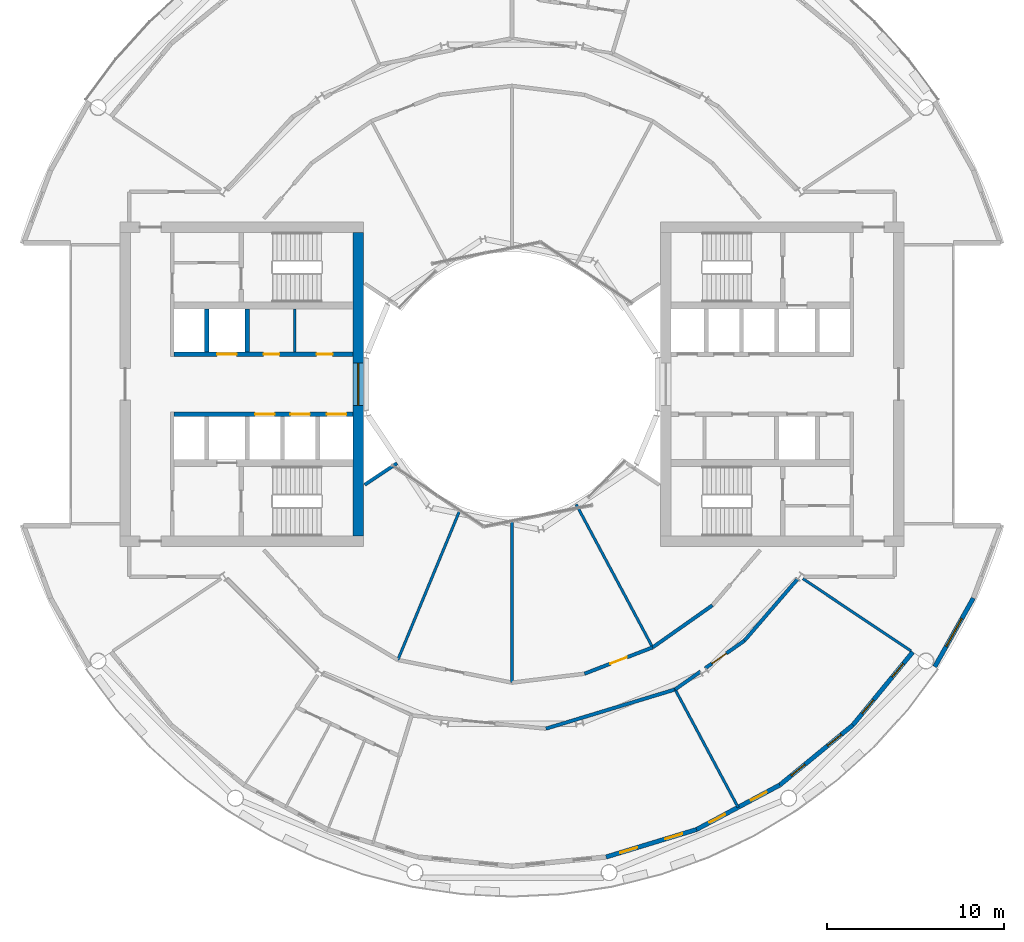
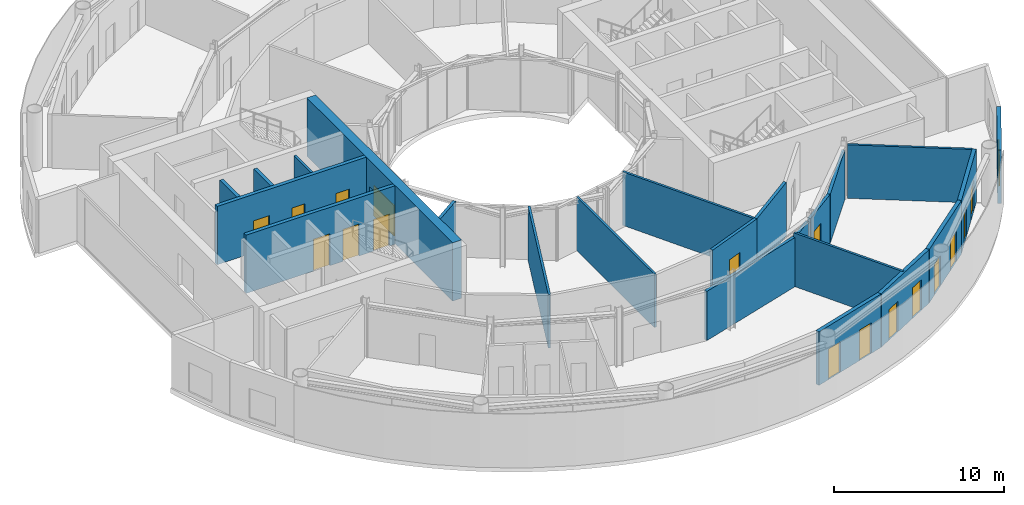
# One storey, part 14 of 21: 23 walls, 16 doors, 2 windows, 18 openings.
"""IFC4 building model written with IfcOpenShell, lengths in metres."""

from ifc_helpers import new_model, si_unit, direction, frame, frame_2d, origin, place, context, subcontext, project, spatial, rectangle, extrude, material, layer, layer_set, type_object, element, fill, save


model = new_model("IFC4")

# Units and contexts
model_context = context("Model", 3, precision=1e-05, world=origin(), true_north=direction((0.0, 1.0)))
body_context = subcontext(model_context, "Body", "Model", "MODEL_VIEW")
ifc_project = project(units=[si_unit("LENGTHUNIT", "METRE"), si_unit("AREAUNIT", "SQUARE_METRE"), si_unit("VOLUMEUNIT", "CUBIC_METRE"), si_unit("PLANEANGLEUNIT", "RADIAN"), si_unit("MASSUNIT", "GRAM", prefix="KILO")], contexts=[model_context])

# Site, building, storey
site_placement = place(None, origin())
site = spatial("IfcSite", under=ifc_project, at=site_placement, CompositionType="ELEMENT")
building_placement = place(site_placement, origin())
building = spatial("IfcBuilding", under=site, at=building_placement, Name="Maasbend Ring Residences", CompositionType="ELEMENT")
storey_placement = place(building_placement, frame((0.0, 0.0, 107.449951171875)))
storey = spatial("IfcBuildingStorey", under=building, at=storey_placement, Name="L30", CompositionType="ELEMENT", Elevation=107.449951171875)

# Wall, openings, doors
ifc_material_1 = material(Name="Concrete C60/75", Category="concrete")
ifc_layer_1 = layer(ifc_material_1, 0.25)
ifc_layer_set_1 = layer_set([ifc_layer_1], Name="Concrete C60/75")
wall_type_1 = type_object("IfcWallType", Name="CORE WALL 250 C60/75", PredefinedType="SHEAR", material=ifc_layer_set_1)
wall_1_placement = place(storey_placement, frame((-9.0, -1.699951171875, 0.0), z_axis=(0.0, 0.0, 1.0), x_axis=(-1.0, 0.0, 0.0)))
wall_1 = element("IfcWall", 1, at=wall_1_placement, inside=storey, type_object=wall_type_1, Name="L30 core W wall SPN", PredefinedType="SHEAR", context=body_context, shape_type="SweptSolid", body=[
    extrude(rectangle(XDim=10.14990234375, YDim=0.25, at=frame_2d((5.074951171875, 0.0))), origin(), (0.0, 0.0, 1.0), 4.199951171875),
])
opening_1_placement = place(wall_1_placement, frame((0.387451171875, 0.0, 0.0)))
opening_1 = element("IfcOpeningElement", 2, at=opening_1_placement, cuts=wall_1, Name="Opening LD-W3001", PredefinedType="OPENING", context=body_context, shape_type="SweptSolid", body=[
    extrude(rectangle(XDim=1.10009765625, YDim=2.300048828125, at=frame_2d((0.550048828125, 1.14990234375))), frame((0.0, 0.135009765625, 0.0), z_axis=(0.0, -1.0, 0.0), x_axis=(1.0, 0.0, 0.0)), (0.0, 0.0, 1.0), 0.27001953125),
])
opening_2_placement = place(wall_1_placement, frame((2.449951171875, 0.0, 0.0)))
opening_2 = element("IfcOpeningElement", 3, at=opening_2_placement, cuts=wall_1, Name="Opening LD-W3002", PredefinedType="OPENING", context=body_context, shape_type="SweptSolid", body=[
    extrude(rectangle(XDim=1.10009765625, YDim=2.300048828125, at=frame_2d((0.550048828125, 1.14990234375))), frame((0.0, 0.135009765625, 0.0), z_axis=(0.0, -1.0, 0.0), x_axis=(1.0, 0.0, 0.0)), (0.0, 0.0, 1.0), 0.27001953125),
])
opening_3_placement = place(wall_1_placement, frame((4.449951171875, 0.0, 0.0)))
opening_3 = element("IfcOpeningElement", 4, at=opening_3_placement, cuts=wall_1, Name="Opening LD-W3003", PredefinedType="OPENING", context=body_context, shape_type="SweptSolid", body=[
    extrude(rectangle(XDim=1.10009765625, YDim=2.300048828125, at=frame_2d((0.550048828125, 1.14990234375))), frame((0.0, 0.135009765625, 0.0), z_axis=(0.0, -1.0, 0.0), x_axis=(1.0, 0.0, 0.0)), (0.0, 0.0, 1.0), 0.27001953125),
])
ifc_material_2 = material(Name="Stainless steel 316", Category="steel")
door_type_1 = type_object("IfcDoorType", Name="LANDING DOOR 1100 X 2300 FD60", OperationType="DOUBLE_DOOR_SLIDING", PredefinedType="DOOR", material=ifc_material_2)
door_1_placement = place(opening_1_placement, origin())
door_1 = element("IfcDoor", 5, at=door_1_placement, inside=storey, type_object=door_type_1, Name="Landing door LR-W1 L30", OperationType="DOUBLE_DOOR_SLIDING", OverallHeight=2.300048828125, OverallWidth=1.10009765625, PredefinedType="DOOR", context=body_context, shape_type="SweptSolid", body=[
    extrude(rectangle(XDim=1.10009765625, YDim=2.300048828125, at=frame_2d((0.550048828125, 1.14990234375))), frame((0.0, 0.02490234375, 0.0), z_axis=(0.0, -1.0, 0.0), x_axis=(1.0, 0.0, 0.0)), (0.0, 0.0, 1.0), 0.050048828125),
])
fill(opening_1, door_1)
door_2_placement = place(opening_2_placement, origin())
door_2 = element("IfcDoor", 6, at=door_2_placement, inside=storey, type_object=door_type_1, Name="Landing door LR-W2 L30", OperationType="DOUBLE_DOOR_SLIDING", OverallHeight=2.300048828125, OverallWidth=1.10009765625, PredefinedType="DOOR", context=body_context, shape_type="SweptSolid", body=[
    extrude(rectangle(XDim=1.10009765625, YDim=2.300048828125, at=frame_2d((0.550048828125, 1.14990234375))), frame((0.0, 0.02490234375, 0.0), z_axis=(0.0, -1.0, 0.0), x_axis=(1.0, 0.0, 0.0)), (0.0, 0.0, 1.0), 0.050048828125),
])
fill(opening_2, door_2)
door_3_placement = place(opening_3_placement, origin())
door_3 = element("IfcDoor", 7, at=door_3_placement, inside=storey, type_object=door_type_1, Name="Landing door LR-W3 L30", OperationType="DOUBLE_DOOR_SLIDING", OverallHeight=2.300048828125, OverallWidth=1.10009765625, PredefinedType="DOOR", context=body_context, shape_type="SweptSolid", body=[
    extrude(rectangle(XDim=1.10009765625, YDim=2.300048828125, at=frame_2d((0.550048828125, 1.14990234375))), frame((0.0, 0.02490234375, 0.0), z_axis=(0.0, -1.0, 0.0), x_axis=(1.0, 0.0, 0.0)), (0.0, 0.0, 1.0), 0.050048828125),
])
fill(opening_3, door_3)

wall_2_placement = place(storey_placement, frame((-19.14990234375, 1.699951171875, 0.0), z_axis=(0.0, 0.0, 1.0), x_axis=(1.0, 0.0, 0.0)))
wall_2 = element("IfcWall", 8, at=wall_2_placement, inside=storey, type_object=wall_type_1, Name="L30 core W wall SPS", PredefinedType="SHEAR", context=body_context, shape_type="SweptSolid", body=[
    extrude(rectangle(XDim=10.14990234375, YDim=0.25, at=frame_2d((5.074951171875, 0.0))), origin(), (0.0, 0.0, 1.0), 4.199951171875),
])
opening_4_placement = place(wall_2_placement, frame((2.449951171875, 0.0, 0.0)))
opening_4 = element("IfcOpeningElement", 9, at=opening_4_placement, cuts=wall_2, Name="Opening LD-W3005", PredefinedType="OPENING", context=body_context, shape_type="SweptSolid", body=[
    extrude(rectangle(XDim=1.10009765625, YDim=2.300048828125, at=frame_2d((0.550048828125, 1.14990234375))), frame((0.0, 0.135009765625, 0.0), z_axis=(0.0, -1.0, 0.0), x_axis=(1.0, 0.0, 0.0)), (0.0, 0.0, 1.0), 0.27001953125),
])
opening_5_placement = place(wall_2_placement, frame((8.08740234375, 0.0, 0.0)))
opening_5 = element("IfcOpeningElement", 10, at=opening_5_placement, cuts=wall_2, Name="Opening D-W3006", PredefinedType="OPENING", context=body_context, shape_type="SweptSolid", body=[
    extrude(rectangle(XDim=0.89990234375, YDim=2.300048828125, at=frame_2d((0.449951171875, 1.14990234375))), frame((0.0, 0.135009765625, 0.0), z_axis=(0.0, -1.0, 0.0), x_axis=(1.0, 0.0, 0.0)), (0.0, 0.0, 1.0), 0.27001953125),
])
opening_6_placement = place(wall_2_placement, frame((5.074951171875, 0.0, 0.0)))
opening_6 = element("IfcOpeningElement", 11, at=opening_6_placement, cuts=wall_2, Name="Opening D-W3007", PredefinedType="OPENING", context=body_context, shape_type="SweptSolid", body=[
    extrude(rectangle(XDim=0.89990234375, YDim=2.300048828125, at=frame_2d((0.449951171875, 1.14990234375))), frame((0.0, 0.135009765625, 0.0), z_axis=(0.0, -1.0, 0.0), x_axis=(1.0, 0.0, 0.0)), (0.0, 0.0, 1.0), 0.27001953125),
])
door_4_placement = place(opening_4_placement, origin())
door_4 = element("IfcDoor", 12, at=door_4_placement, inside=storey, type_object=door_type_1, Name="Landing door SV-W L30", OperationType="DOUBLE_DOOR_SLIDING", OverallHeight=2.300048828125, OverallWidth=1.10009765625, PredefinedType="DOOR", context=body_context, shape_type="SweptSolid", body=[
    extrude(rectangle(XDim=1.10009765625, YDim=2.300048828125, at=frame_2d((0.550048828125, 1.14990234375))), frame((0.0, 0.02490234375, 0.0), z_axis=(0.0, -1.0, 0.0), x_axis=(1.0, 0.0, 0.0)), (0.0, 0.0, 1.0), 0.050048828125),
])
fill(opening_4, door_4)
ifc_material_3 = material(Name="Steel, powder coated", Category="steel")
door_type_2 = type_object("IfcDoorType", Name="ROOM DOOR 900 X 2300 FD30S", OperationType="NOTDEFINED", PredefinedType="DOOR", material=ifc_material_3)
door_5_placement = place(opening_5_placement, origin())
door_5 = element("IfcDoor", 13, at=door_5_placement, inside=storey, type_object=door_type_2, Name="Room door L30", OperationType="SINGLE_SWING_LEFT", OverallHeight=2.300048828125, OverallWidth=0.89990234375, PredefinedType="DOOR", context=body_context, shape_type="SweptSolid", body=[
    extrude(rectangle(XDim=0.89990234375, YDim=2.300048828125, at=frame_2d((0.449951171875, 1.14990234375))), frame((0.0, 0.02490234375, 0.0), z_axis=(0.0, -1.0, 0.0), x_axis=(1.0, 0.0, 0.0)), (0.0, 0.0, 1.0), 0.050048828125),
])
fill(opening_5, door_5)
door_6_placement = place(opening_6_placement, origin())
door_6 = element("IfcDoor", 14, at=door_6_placement, inside=storey, type_object=door_type_2, Name="Room door L30", OperationType="SINGLE_SWING_LEFT", OverallHeight=2.300048828125, OverallWidth=0.89990234375, PredefinedType="DOOR", context=body_context, shape_type="SweptSolid", body=[
    extrude(rectangle(XDim=0.89990234375, YDim=2.300048828125, at=frame_2d((0.449951171875, 1.14990234375))), frame((0.0, 0.02490234375, 0.0), z_axis=(0.0, -1.0, 0.0), x_axis=(1.0, 0.0, 0.0)), (0.0, 0.0, 1.0), 0.050048828125),
])
fill(opening_6, door_6)

# Wall, opening, window
ifc_material_4 = material(Name="Concrete C60/75", Category="concrete")
ifc_layer_2 = layer(ifc_material_4, 0.60009765625)
ifc_layer_set_2 = layer_set([ifc_layer_2], Name="Concrete C60/75")
wall_type_2 = type_object("IfcWallType", Name="CORE WALL 600 C60/75", PredefinedType="SHEAR", material=ifc_layer_set_2)
wall_3_placement = place(storey_placement, frame((-8.699951171875, 8.60009765625, 0.0), z_axis=(0.0, 0.0, 1.0), x_axis=(0.0, -1.0, 0.0)))
wall_3 = element("IfcWall", 15, at=wall_3_placement, inside=storey, type_object=wall_type_2, Name="L30 core W wall PIN", PredefinedType="SHEAR", context=body_context, shape_type="SweptSolid", body=[
    extrude(rectangle(XDim=17.2001953125, YDim=0.60009765625, at=frame_2d((8.60009765625, 0.0))), origin(), (0.0, 0.0, 1.0), 4.199951171875),
])
opening_7_placement = place(wall_3_placement, frame((7.39990234375, 0.0, 0.10009765625)))
opening_7 = element("IfcOpeningElement", 16, at=opening_7_placement, cuts=wall_3, Name="Opening W-W3001", PredefinedType="OPENING", context=body_context, shape_type="SweptSolid", body=[
    extrude(rectangle(XDim=2.39990234375, YDim=2.199951171875, at=frame_2d((1.199951171875, 1.10009765625))), frame((0.0, 0.31005859375, 0.0), z_axis=(0.0, -1.0, 0.0), x_axis=(1.0, 0.0, 0.0)), (0.0, 0.0, 1.0), 0.6201171875),
])
ifc_material_5 = material(Name="Aluminium frame and clear glass", Category="aluminium")
window_type_1 = type_object("IfcWindowType", Name="FIXED WINDOW 2400 X 2200", PartitioningType="SINGLE_PANEL", PredefinedType="WINDOW", material=ifc_material_5)
window_1_placement = place(opening_7_placement, origin())
window_1 = element("IfcWindow", 17, at=window_1_placement, inside=storey, type_object=window_type_1, Name="Lobby window L30", OverallHeight=2.199951171875, OverallWidth=2.39990234375, PartitioningType="SINGLE_PANEL", PredefinedType="WINDOW", context=body_context, shape_type="SweptSolid", body=[
    extrude(rectangle(XDim=2.39990234375, YDim=2.199951171875, at=frame_2d((1.199951171875, 1.10009765625))), frame((0.0, 0.030029296875, 0.0), z_axis=(0.0, -1.0, 0.0), x_axis=(1.0, 0.0, 0.0)), (0.0, 0.0, 1.0), 0.06005859375),
])
fill(opening_7, window_1)

# Wall
ifc_material_6 = material(Name="Concrete C30/37", Category="concrete")
ifc_layer_3 = layer(ifc_material_6, 0.199951171875)
ifc_layer_set_3 = layer_set([ifc_layer_3], Name="Concrete C30/37")
wall_type_3 = type_object("IfcWallType", Name="CORRIDOR WALL 200 CONCRETE", PredefinedType="PARTITIONING", material=ifc_layer_set_3)
wall_4_placement = place(storey_placement, frame((9.239013671875, -17.285888671875, 0.0), z_axis=(0.0, 0.0, 1.0), x_axis=(0.817743843048, 0.575582320052, 0.0)))
element("IfcWall", 18, at=wall_4_placement, inside=storey, type_object=wall_type_3, Name="U-L30-w004", PredefinedType="PARTITIONING", context=body_context, shape_type="SweptSolid", body=[
    extrude(rectangle(XDim=1.768310546875, YDim=0.199951171875, at=frame_2d((0.88427734375, 0.0))), origin(), (0.0, 0.0, 1.0), 3.5400390625),
])

# Wall, opening, door
wall_5_placement = place(storey_placement, frame((10.93603515625, -16.091064453125, 0.0), z_axis=(0.0, 0.0, 1.0), x_axis=(0.817645456482, 0.575722074872, 0.0)))
wall_5 = element("IfcWall", 19, at=wall_5_placement, inside=storey, type_object=wall_type_3, Name="U-L30-w005", PredefinedType="PARTITIONING", context=body_context, shape_type="SweptSolid", body=[
    extrude(rectangle(XDim=2.7236328125, YDim=0.199951171875, at=frame_2d((1.36181640625, 0.0))), origin(), (0.0, 0.0, 1.0), 3.5400390625),
])
opening_8_placement = place(wall_5_placement, frame((0.47412109375, 0.0, 0.0)))
opening_8 = element("IfcOpeningElement", 20, at=opening_8_placement, cuts=wall_5, Name="Opening D-3018", PredefinedType="OPENING", context=body_context, shape_type="SweptSolid", body=[
    extrude(rectangle(XDim=1.0, YDim=2.300048828125, at=frame_2d((0.5, 1.14990234375))), frame((0.0, 0.10986328125, 0.0), z_axis=(0.0, -1.0, 0.0), x_axis=(1.0, 0.0, 0.0)), (0.0, 0.0, 1.0), 0.219970703125),
])
ifc_material_7 = material(Name="Timber, painted", Category="wood")
door_type_3 = type_object("IfcDoorType", Name="ROOM DOOR 1000 X 2300", OperationType="NOTDEFINED", PredefinedType="DOOR", material=ifc_material_7)
door_7_placement = place(opening_8_placement, origin())
door_7 = element("IfcDoor", 21, at=door_7_placement, inside=storey, type_object=door_type_3, Name="D-3018", OperationType="SINGLE_SWING_LEFT", OverallHeight=2.300048828125, OverallWidth=1.0, PredefinedType="DOOR", context=body_context, shape_type="SweptSolid", body=[
    extrude(rectangle(XDim=1.0, YDim=2.300048828125, at=frame_2d((0.5, 1.14990234375))), frame((0.0, 0.02490234375, 0.0), z_axis=(0.0, -1.0, 0.0), x_axis=(1.0, 0.0, 0.0)), (0.0, 0.0, 1.0), 0.050048828125),
])
fill(opening_8, door_7)

# Walls
wall_6_placement = place(storey_placement, frame((13.1630859375, -14.52294921875, 0.0), z_axis=(0.0, 0.0, 1.0), x_axis=(0.653087281304, 0.757282644063, 0.0)))
element("IfcWall", 22, at=wall_6_placement, inside=storey, type_object=wall_type_3, Name="U-L30-w006", PredefinedType="PARTITIONING", context=body_context, shape_type="SweptSolid", body=[
    extrude(rectangle(XDim=4.64404296875, YDim=0.199951171875, at=frame_2d((2.322021484375, 0.0))), origin(), (0.0, 0.0, 1.0), 3.5400390625),
])
wall_7_placement = place(storey_placement, frame((1.9208984375, -19.506103515625, 0.0), z_axis=(0.0, 0.0, 1.0), x_axis=(0.956929842753, 0.290319265721, 0.0)))
element("IfcWall", 23, at=wall_7_placement, inside=storey, type_object=wall_type_3, Name="U-L30-w010", PredefinedType="PARTITIONING", context=body_context, shape_type="SweptSolid", body=[
    extrude(rectangle(XDim=7.6474609375, YDim=0.199951171875, at=frame_2d((3.82373046875, 0.0))), origin(), (0.0, 0.0, 1.0), 3.5400390625),
])

# Wall, opening, door
wall_8_placement = place(storey_placement, frame((4.10595703125, -16.39404296875, 0.0), z_axis=(0.0, 0.0, 1.0), x_axis=(0.932943640288, 0.360022449363, 0.0)))
wall_8 = element("IfcWall", 24, at=wall_8_placement, inside=storey, type_object=wall_type_3, Name="U-L30-w012", PredefinedType="PARTITIONING", context=body_context, shape_type="SweptSolid", body=[
    extrude(rectangle(XDim=4.138671875, YDim=0.199951171875, at=frame_2d((2.0693359375, 0.0))), origin(), (0.0, 0.0, 1.0), 3.85009765625),
])
opening_9_placement = place(wall_8_placement, frame((1.569091796875, 0.0, 0.0)))
opening_9 = element("IfcOpeningElement", 25, at=opening_9_placement, cuts=wall_8, Name="Opening D-3021", PredefinedType="OPENING", context=body_context, shape_type="SweptSolid", body=[
    extrude(rectangle(XDim=1.0, YDim=2.300048828125, at=frame_2d((0.5, 1.14990234375))), frame((0.0, 0.10986328125, 0.0), z_axis=(0.0, -1.0, 0.0), x_axis=(1.0, 0.0, 0.0)), (0.0, 0.0, 1.0), 0.219970703125),
])
door_8_placement = place(opening_9_placement, origin())
door_8 = element("IfcDoor", 26, at=door_8_placement, inside=storey, type_object=door_type_3, Name="D-3021", OperationType="SINGLE_SWING_RIGHT", OverallHeight=2.300048828125, OverallWidth=1.0, PredefinedType="DOOR", context=body_context, shape_type="SweptSolid", body=[
    extrude(rectangle(XDim=1.0, YDim=2.300048828125, at=frame_2d((0.5, 1.14990234375))), frame((0.0, 0.02490234375, 0.0), z_axis=(0.0, -1.0, 0.0), x_axis=(1.0, 0.0, 0.0)), (0.0, 0.0, 1.0), 0.050048828125),
])
fill(opening_9, door_8)

# Wall
wall_9_placement = place(storey_placement, frame((7.967041015625, -14.904052734375, 0.0), z_axis=(0.0, 0.0, 1.0), x_axis=(0.817567680547, 0.575832517079, 0.0)))
element("IfcWall", 27, at=wall_9_placement, inside=storey, type_object=wall_type_3, Name="U-L30-w013", PredefinedType="PARTITIONING", context=body_context, shape_type="SweptSolid", body=[
    extrude(rectangle(XDim=4.13671875, YDim=0.199951171875, at=frame_2d((2.068359375, 0.0))), origin(), (0.0, 0.0, 1.0), 3.85009765625),
])

# Wall, openings, doors
ifc_material_8 = material(Name="Aluminium clad insulated panel", Category="aluminium")
ifc_layer_4 = layer(ifc_material_8, 0.25)
ifc_layer_set_4 = layer_set([ifc_layer_4], Name="EW-GL")
wall_type_4 = type_object("IfcWallType", Name="EW-GL", PredefinedType="SOLIDWALL", material=ifc_layer_set_4)
wall_10_placement = place(storey_placement, frame((5.325927734375, -26.77490234375, 0.0), z_axis=(0.0, 0.0, 1.0), x_axis=(0.956965678721, 0.290201119486, 0.0)))
wall_10 = element("IfcWall", 28, at=wall_10_placement, inside=storey, type_object=wall_type_4, Name="External wall S07", PredefinedType="SOLIDWALL", context=body_context, shape_type="SweptSolid", body=[
    extrude(rectangle(XDim=5.351318359375, YDim=0.25, at=frame_2d((2.67578125, 0.0))), origin(), (0.0, 0.0, 1.0), 3.85009765625),
])
opening_10_placement = place(wall_10_placement, frame((0.841064453125, 0.0, 0.0)))
opening_10 = element("IfcOpeningElement", 29, at=opening_10_placement, cuts=wall_10, Name="Opening D-LG", PredefinedType="OPENING", context=body_context, shape_type="SweptSolid", body=[
    extrude(rectangle(XDim=1.0, YDim=2.199951171875, at=frame_2d((0.5, 1.10009765625))), frame((0.0, 0.135009765625, 0.0), z_axis=(0.0, -1.0, 0.0), x_axis=(1.0, 0.0, 0.0)), (0.0, 0.0, 1.0), 0.27001953125),
])
opening_11_placement = place(wall_10_placement, frame((3.510498046875, 0.0, 0.0)))
opening_11 = element("IfcOpeningElement", 30, at=opening_11_placement, cuts=wall_10, Name="Opening D-LG", PredefinedType="OPENING", context=body_context, shape_type="SweptSolid", body=[
    extrude(rectangle(XDim=1.0, YDim=2.199951171875, at=frame_2d((0.5, 1.10009765625))), frame((0.0, 0.135009765625, 0.0), z_axis=(0.0, -1.0, 0.0), x_axis=(1.0, 0.0, 0.0)), (0.0, 0.0, 1.0), 0.27001953125),
])
ifc_material_9 = material(Name="Aluminium and clear glass", Category="aluminium")
door_type_4 = type_object("IfcDoorType", Name="D-LG", OperationType="SINGLE_SWING_LEFT", PredefinedType="DOOR", material=ifc_material_9)
door_9_placement = place(opening_10_placement, origin())
door_9 = element("IfcDoor", 31, at=door_9_placement, inside=storey, type_object=door_type_4, Name="Loggia door S13", OperationType="SINGLE_SWING_LEFT", OverallHeight=2.199951171875, OverallWidth=1.0, PredefinedType="DOOR", context=body_context, shape_type="SweptSolid", body=[
    extrude(rectangle(XDim=1.0, YDim=2.199951171875, at=frame_2d((0.5, 1.10009765625))), frame((0.0, 0.02490234375, 0.0), z_axis=(0.0, -1.0, 0.0), x_axis=(1.0, 0.0, 0.0)), (0.0, 0.0, 1.0), 0.050048828125),
])
fill(opening_10, door_9)
door_10_placement = place(opening_11_placement, origin())
door_10 = element("IfcDoor", 32, at=door_10_placement, inside=storey, type_object=door_type_4, Name="Loggia door S14", OperationType="SINGLE_SWING_LEFT", OverallHeight=2.199951171875, OverallWidth=1.0, PredefinedType="DOOR", context=body_context, shape_type="SweptSolid", body=[
    extrude(rectangle(XDim=1.0, YDim=2.199951171875, at=frame_2d((0.5, 1.10009765625))), frame((0.0, 0.02490234375, 0.0), z_axis=(0.0, -1.0, 0.0), x_axis=(1.0, 0.0, 0.0)), (0.0, 0.0, 1.0), 0.050048828125),
])
fill(opening_11, door_10)

wall_11_placement = place(storey_placement, frame((10.447021484375, -25.221923828125, 0.0), z_axis=(0.0, 0.0, 1.0), x_axis=(0.881915646801, 0.471407246368, 0.0)))
wall_11 = element("IfcWall", 33, at=wall_11_placement, inside=storey, type_object=wall_type_4, Name="External wall S08", PredefinedType="SOLIDWALL", context=body_context, shape_type="SweptSolid", body=[
    extrude(rectangle(XDim=5.35205078125, YDim=0.25, at=frame_2d((2.676025390625, 0.0))), origin(), (0.0, 0.0, 1.0), 3.85009765625),
])
opening_12_placement = place(wall_11_placement, frame((0.841064453125, 0.0, 0.0)))
opening_12 = element("IfcOpeningElement", 34, at=opening_12_placement, cuts=wall_11, Name="Opening D-LG", PredefinedType="OPENING", context=body_context, shape_type="SweptSolid", body=[
    extrude(rectangle(XDim=1.0, YDim=2.199951171875, at=frame_2d((0.5, 1.10009765625))), frame((0.0, 0.135009765625, 0.0), z_axis=(0.0, -1.0, 0.0), x_axis=(1.0, 0.0, 0.0)), (0.0, 0.0, 1.0), 0.27001953125),
])
opening_13_placement = place(wall_11_placement, frame((3.510498046875, 0.0, 0.0)))
opening_13 = element("IfcOpeningElement", 35, at=opening_13_placement, cuts=wall_11, Name="Opening D-LG", PredefinedType="OPENING", context=body_context, shape_type="SweptSolid", body=[
    extrude(rectangle(XDim=1.0, YDim=2.199951171875, at=frame_2d((0.5, 1.10009765625))), frame((0.0, 0.135009765625, 0.0), z_axis=(0.0, -1.0, 0.0), x_axis=(1.0, 0.0, 0.0)), (0.0, 0.0, 1.0), 0.27001953125),
])
door_11_placement = place(opening_12_placement, origin())
door_11 = element("IfcDoor", 36, at=door_11_placement, inside=storey, type_object=door_type_4, Name="Loggia door S15", OperationType="SINGLE_SWING_LEFT", OverallHeight=2.199951171875, OverallWidth=1.0, PredefinedType="DOOR", context=body_context, shape_type="SweptSolid", body=[
    extrude(rectangle(XDim=1.0, YDim=2.199951171875, at=frame_2d((0.5, 1.10009765625))), frame((0.0, 0.02490234375, 0.0), z_axis=(0.0, -1.0, 0.0), x_axis=(1.0, 0.0, 0.0)), (0.0, 0.0, 1.0), 0.050048828125),
])
fill(opening_12, door_11)
door_12_placement = place(opening_13_placement, origin())
door_12 = element("IfcDoor", 37, at=door_12_placement, inside=storey, type_object=door_type_4, Name="Loggia door S16", OperationType="SINGLE_SWING_LEFT", OverallHeight=2.199951171875, OverallWidth=1.0, PredefinedType="DOOR", context=body_context, shape_type="SweptSolid", body=[
    extrude(rectangle(XDim=1.0, YDim=2.199951171875, at=frame_2d((0.5, 1.10009765625))), frame((0.0, 0.02490234375, 0.0), z_axis=(0.0, -1.0, 0.0), x_axis=(1.0, 0.0, 0.0)), (0.0, 0.0, 1.0), 0.050048828125),
])
fill(opening_13, door_12)

wall_12_placement = place(storey_placement, frame((15.1669921875, -22.698974609375, 0.0), z_axis=(0.0, 0.0, 1.0), x_axis=(0.773019449054, 0.634382322723, 0.0)))
wall_12 = element("IfcWall", 38, at=wall_12_placement, inside=storey, type_object=wall_type_4, Name="External wall S09", PredefinedType="SOLIDWALL", context=body_context, shape_type="SweptSolid", body=[
    extrude(rectangle(XDim=5.351806640625, YDim=0.25, at=frame_2d((2.67578125, 0.0))), origin(), (0.0, 0.0, 1.0), 3.85009765625),
])
opening_14_placement = place(wall_12_placement, frame((0.841064453125, 0.0, 0.0)))
opening_14 = element("IfcOpeningElement", 39, at=opening_14_placement, cuts=wall_12, Name="Opening D-LG", PredefinedType="OPENING", context=body_context, shape_type="SweptSolid", body=[
    extrude(rectangle(XDim=1.0, YDim=2.199951171875, at=frame_2d((0.5, 1.10009765625))), frame((0.0, 0.135009765625, 0.0), z_axis=(0.0, -1.0, 0.0), x_axis=(1.0, 0.0, 0.0)), (0.0, 0.0, 1.0), 0.27001953125),
])
opening_15_placement = place(wall_12_placement, frame((3.510498046875, 0.0, 0.0)))
opening_15 = element("IfcOpeningElement", 40, at=opening_15_placement, cuts=wall_12, Name="Opening D-LG", PredefinedType="OPENING", context=body_context, shape_type="SweptSolid", body=[
    extrude(rectangle(XDim=1.0, YDim=2.199951171875, at=frame_2d((0.5, 1.10009765625))), frame((0.0, 0.135009765625, 0.0), z_axis=(0.0, -1.0, 0.0), x_axis=(1.0, 0.0, 0.0)), (0.0, 0.0, 1.0), 0.27001953125),
])
door_13_placement = place(opening_14_placement, origin())
door_13 = element("IfcDoor", 41, at=door_13_placement, inside=storey, type_object=door_type_4, Name="Loggia door S17", OperationType="SINGLE_SWING_LEFT", OverallHeight=2.199951171875, OverallWidth=1.0, PredefinedType="DOOR", context=body_context, shape_type="SweptSolid", body=[
    extrude(rectangle(XDim=1.0, YDim=2.199951171875, at=frame_2d((0.5, 1.10009765625))), frame((0.0, 0.02490234375, 0.0), z_axis=(0.0, -1.0, 0.0), x_axis=(1.0, 0.0, 0.0)), (0.0, 0.0, 1.0), 0.050048828125),
])
fill(opening_14, door_13)
door_14_placement = place(opening_15_placement, origin())
door_14 = element("IfcDoor", 42, at=door_14_placement, inside=storey, type_object=door_type_4, Name="Loggia door S18", OperationType="SINGLE_SWING_LEFT", OverallHeight=2.199951171875, OverallWidth=1.0, PredefinedType="DOOR", context=body_context, shape_type="SweptSolid", body=[
    extrude(rectangle(XDim=1.0, YDim=2.199951171875, at=frame_2d((0.5, 1.10009765625))), frame((0.0, 0.02490234375, 0.0), z_axis=(0.0, -1.0, 0.0), x_axis=(1.0, 0.0, 0.0)), (0.0, 0.0, 1.0), 0.050048828125),
])
fill(opening_15, door_14)

wall_13_placement = place(storey_placement, frame((19.303955078125, -19.303955078125, 0.0), z_axis=(0.0, 0.0, 1.0), x_axis=(0.634382322723, 0.773019449054, 0.0)))
wall_13 = element("IfcWall", 43, at=wall_13_placement, inside=storey, type_object=wall_type_4, Name="External wall S10", PredefinedType="SOLIDWALL", context=body_context, shape_type="SweptSolid", body=[
    extrude(rectangle(XDim=5.351806640625, YDim=0.25, at=frame_2d((2.67578125, 0.0))), origin(), (0.0, 0.0, 1.0), 3.85009765625),
])
opening_16_placement = place(wall_13_placement, frame((0.841064453125, 0.0, 0.0)))
opening_16 = element("IfcOpeningElement", 44, at=opening_16_placement, cuts=wall_13, Name="Opening D-LG", PredefinedType="OPENING", context=body_context, shape_type="SweptSolid", body=[
    extrude(rectangle(XDim=1.0, YDim=2.199951171875, at=frame_2d((0.5, 1.10009765625))), frame((0.0, 0.135009765625, 0.0), z_axis=(0.0, -1.0, 0.0), x_axis=(1.0, 0.0, 0.0)), (0.0, 0.0, 1.0), 0.27001953125),
])
opening_17_placement = place(wall_13_placement, frame((3.510498046875, 0.0, 0.0)))
opening_17 = element("IfcOpeningElement", 45, at=opening_17_placement, cuts=wall_13, Name="Opening D-LG", PredefinedType="OPENING", context=body_context, shape_type="SweptSolid", body=[
    extrude(rectangle(XDim=1.0, YDim=2.199951171875, at=frame_2d((0.5, 1.10009765625))), frame((0.0, 0.135009765625, 0.0), z_axis=(0.0, -1.0, 0.0), x_axis=(1.0, 0.0, 0.0)), (0.0, 0.0, 1.0), 0.27001953125),
])
door_15_placement = place(opening_16_placement, origin())
door_15 = element("IfcDoor", 46, at=door_15_placement, inside=storey, type_object=door_type_4, Name="Loggia door S19", OperationType="SINGLE_SWING_LEFT", OverallHeight=2.199951171875, OverallWidth=1.0, PredefinedType="DOOR", context=body_context, shape_type="SweptSolid", body=[
    extrude(rectangle(XDim=1.0, YDim=2.199951171875, at=frame_2d((0.5, 1.10009765625))), frame((0.0, 0.02490234375, 0.0), z_axis=(0.0, -1.0, 0.0), x_axis=(1.0, 0.0, 0.0)), (0.0, 0.0, 1.0), 0.050048828125),
])
fill(opening_16, door_15)
door_16_placement = place(opening_17_placement, origin())
door_16 = element("IfcDoor", 47, at=door_16_placement, inside=storey, type_object=door_type_4, Name="Loggia door S20", OperationType="SINGLE_SWING_LEFT", OverallHeight=2.199951171875, OverallWidth=1.0, PredefinedType="DOOR", context=body_context, shape_type="SweptSolid", body=[
    extrude(rectangle(XDim=1.0, YDim=2.199951171875, at=frame_2d((0.5, 1.10009765625))), frame((0.0, 0.02490234375, 0.0), z_axis=(0.0, -1.0, 0.0), x_axis=(1.0, 0.0, 0.0)), (0.0, 0.0, 1.0), 0.050048828125),
])
fill(opening_17, door_16)

# Wall, opening, window
ifc_material_10 = material(Name="Aluminium clad insulated panel", Category="aluminium")
ifc_layer_5 = layer(ifc_material_10, 0.25)
ifc_layer_set_5 = layer_set([ifc_layer_5], Name="EW-HORN")
wall_type_5 = type_object("IfcWallType", Name="EW-HORN", PredefinedType="SOLIDWALL", material=ifc_layer_set_5)
wall_14_placement = place(storey_placement, frame((23.946044921875, -16.0, 0.0), z_axis=(0.0, 0.0, 1.0), x_axis=(0.489696356642, 0.871893042919, 0.0)))
wall_14 = element("IfcWall", 48, at=wall_14_placement, inside=storey, type_object=wall_type_5, Name="Horn wall 2.1", PredefinedType="SOLIDWALL", context=body_context, shape_type="SweptSolid", body=[
    extrude(rectangle(XDim=4.45361328125, YDim=0.25, at=frame_2d((2.226806640625, 0.0))), origin(), (0.0, 0.0, 1.0), 3.85009765625),
])
opening_18_placement = place(wall_14_placement, frame((1.32666015625, 0.0, 0.300048828125)))
opening_18 = element("IfcOpeningElement", 49, at=opening_18_placement, cuts=wall_14, Name="Opening W-BX", PredefinedType="OPENING", context=body_context, shape_type="SweptSolid", body=[
    extrude(rectangle(XDim=1.800048828125, YDim=2.10009765625, at=frame_2d((0.89990234375, 1.050048828125))), frame((0.0, 0.135009765625, 0.0), z_axis=(0.0, -1.0, 0.0), x_axis=(1.0, 0.0, 0.0)), (0.0, 0.0, 1.0), 0.27001953125),
])
ifc_material_11 = material(Name="Aluminium and clear glass", Category="aluminium")
window_type_2 = type_object("IfcWindowType", Name="W-BX", PartitioningType="DOUBLE_PANEL_VERTICAL", PredefinedType="WINDOW", material=ifc_material_11)
window_2_placement = place(opening_18_placement, origin())
window_2 = element("IfcWindow", 50, at=window_2_placement, inside=storey, type_object=window_type_2, Name="Horn window 2.1", OverallHeight=2.10009765625, OverallWidth=1.800048828125, PartitioningType="SINGLE_PANEL", PredefinedType="WINDOW", context=body_context, shape_type="SweptSolid", body=[
    extrude(rectangle(XDim=1.800048828125, YDim=2.10009765625, at=frame_2d((0.89990234375, 1.050048828125))), frame((0.0, 0.030029296875, 0.0), z_axis=(0.0, -1.0, 0.0), x_axis=(1.0, 0.0, 0.0)), (0.0, 0.0, 1.0), 0.06005859375),
])
fill(opening_18, window_2)

# Walls
ifc_material_12 = material(Name="Gypsum board on steel studs", Category="steel")
ifc_layer_6 = layer(ifc_material_12, 0.14990234375)
ifc_layer_set_6 = layer_set([ifc_layer_6], Name="PARTITION 150 EI 60")
wall_type_6 = type_object("IfcWallType", Name="PARTITION 150 EI 60", PredefinedType="PARTITIONING", material=ifc_layer_set_6)
wall_15_placement = place(storey_placement, frame((-12.300048828125, 1.824951171875, 0.0), z_axis=(0.0, 0.0, 1.0), x_axis=(0.0, 1.0, 0.0)))
element("IfcWall", 51, at=wall_15_placement, inside=storey, type_object=wall_type_6, Name="L30 core W wall PRS1230", PredefinedType="PARTITIONING", context=body_context, shape_type="SweptSolid", body=[
    extrude(rectangle(XDim=2.449951171875, YDim=0.14990234375, at=frame_2d((1.22509765625, 0.0))), origin(), (0.0, 0.0, 1.0), 3.85009765625),
])
ifc_material_13 = material(Name="Gypsum board on steel studs", Category="steel")
ifc_layer_7 = layer(ifc_material_13, 0.14990234375)
ifc_layer_set_7 = layer_set([ifc_layer_7], Name="PARTITION 150 GYPSUM")
wall_type_7 = type_object("IfcWallType", Name="PARTITION 150 GYPSUM", PredefinedType="PARTITIONING", material=ifc_layer_set_7)
wall_16_placement = place(storey_placement, frame((-6.467041015625, -15.614013671875, 0.0), z_axis=(0.0, 0.0, 1.0), x_axis=(0.382646942224, 0.923894646378, 0.0)))
element("IfcWall", 52, at=wall_16_placement, inside=storey, type_object=wall_type_7, Name="U-L30-w031", PredefinedType="PARTITIONING", context=body_context, shape_type="SweptSolid", body=[
    extrude(rectangle(XDim=9.1806640625, YDim=0.14990234375, at=frame_2d((4.59033203125, 0.0))), origin(), (0.0, 0.0, 1.0), 3.85009765625),
])
wall_17_placement = place(storey_placement, frame((0.0, -16.89990234375, 0.0), z_axis=(0.0, 0.0, 1.0), x_axis=(0.0, 1.0, 0.0)))
element("IfcWall", 53, at=wall_17_placement, inside=storey, type_object=wall_type_7, Name="U-L30-w033", PredefinedType="PARTITIONING", context=body_context, shape_type="SweptSolid", body=[
    extrude(rectangle(XDim=9.179931640625, YDim=0.14990234375, at=frame_2d((4.58984375, 0.0))), origin(), (0.0, 0.0, 1.0), 3.85009765625),
])
wall_18_placement = place(storey_placement, frame((3.637939453125, -6.80908203125, 0.0), z_axis=(0.0, 0.0, 1.0), x_axis=(0.471460365694, -0.881887251059, 0.0)))
element("IfcWall", 54, at=wall_18_placement, inside=storey, type_object=wall_type_7, Name="U-L30-w038", PredefinedType="PARTITIONING", context=body_context, shape_type="SweptSolid", body=[
    extrude(rectangle(XDim=9.18017578125, YDim=0.14990234375, at=frame_2d((4.590087890625, 0.0))), origin(), (0.0, 0.0, 1.0), 3.85009765625),
])
wall_19_placement = place(storey_placement, frame((9.239013671875, -17.285888671875, 0.0), z_axis=(0.0, 0.0, 1.0), x_axis=(0.471439510802, -0.881898399848, 0.0)))
element("IfcWall", 55, at=wall_19_placement, inside=storey, type_object=wall_type_7, Name="U-L30-w043", PredefinedType="PARTITIONING", context=body_context, shape_type="SweptSolid", body=[
    extrude(rectangle(XDim=7.57470703125, YDim=0.14990234375, at=frame_2d((3.787353515625, 0.0))), origin(), (0.0, 0.0, 1.0), 3.85009765625),
])
wall_20_placement = place(storey_placement, frame((16.47412109375, -11.011962890625, 0.0), z_axis=(0.0, 0.0, 1.0), x_axis=(0.83143223768, -0.555626164023, 0.0)))
element("IfcWall", 56, at=wall_20_placement, inside=storey, type_object=wall_type_7, Name="U-L30-w044", PredefinedType="PARTITIONING", context=body_context, shape_type="SweptSolid", body=[
    extrude(rectangle(XDim=7.359375, YDim=0.14990234375, at=frame_2d((3.6796875, 0.0))), origin(), (0.0, 0.0, 1.0), 3.85009765625),
])
ifc_material_14 = material(Name="Concrete C30/37", Category="concrete")
ifc_layer_8 = layer(ifc_material_14, 0.199951171875)
ifc_layer_set_8 = layer_set([ifc_layer_8], Name="Concrete C30/37")
wall_type_8 = type_object("IfcWallType", Name="PARTY WALL 200 CONCRETE", PredefinedType="PARTITIONING", material=ifc_layer_set_8)
wall_21_placement = place(storey_placement, frame((-6.512939453125, -4.471923828125, 0.0), z_axis=(0.0, 0.0, 1.0), x_axis=(-0.831333375071, -0.555774072347, 0.0)))
element("IfcWall", 57, at=wall_21_placement, inside=storey, type_object=wall_type_8, Name="U-L30-w020", PredefinedType="PARTITIONING", context=body_context, shape_type="SweptSolid", body=[
    extrude(rectangle(XDim=2.20263671875, YDim=0.199951171875, at=frame_2d((1.101318359375, 0.0))), origin(), (0.0, 0.0, 1.0), 3.85009765625),
])
ifc_material_15 = material(Name="Concrete C30/37", Category="concrete")
ifc_layer_9 = layer(ifc_material_15, 0.25)
ifc_layer_set_9 = layer_set([ifc_layer_9], Name="Concrete C30/37")
wall_type_9 = type_object("IfcWallType", Name="SHAFT WALL 250 EI 120", PredefinedType="SOLIDWALL", material=ifc_layer_set_9)
for number, where, z_axis, x_axis, name in (
    (58, (-15.0, 1.824951171875, 0.0), (0.0, 0.0, 1.0), (0.0, 1.0, 0.0), "L30 core W wall D150S"),
    (59, (-17.300048828125, 1.824951171875, 0.0), (0.0, 0.0, 1.0), (0.0, 1.0, 0.0), "L30 core W wall D173S"),
):
    element("IfcWall", number, at=place(storey_placement, frame(where, z_axis=z_axis, x_axis=x_axis)), inside=storey, type_object=wall_type_9, Name=name, PredefinedType="SOLIDWALL", context=body_context, shape_type="SweptSolid", body=[
        extrude(rectangle(XDim=2.449951171875, YDim=0.25, at=frame_2d((1.22509765625, 0.0))), origin(), (0.0, 0.0, 1.0), 3.85009765625),
    ])

save(model, "model.ifc")
